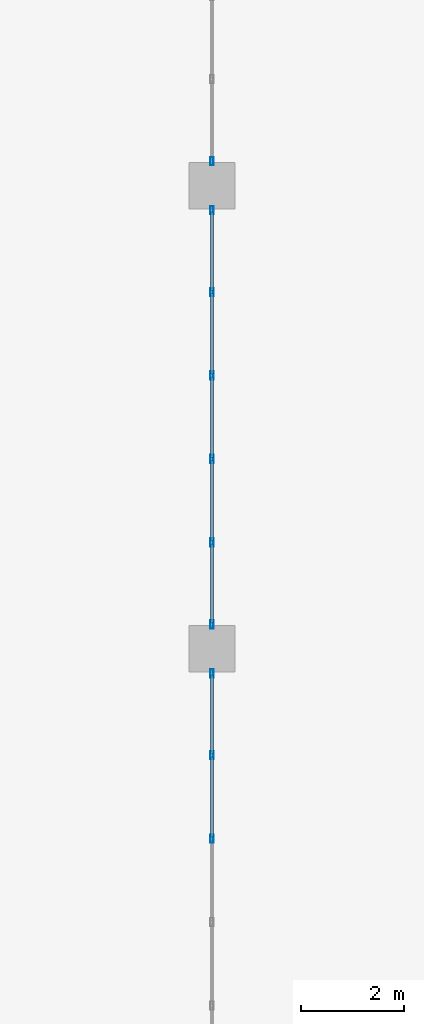
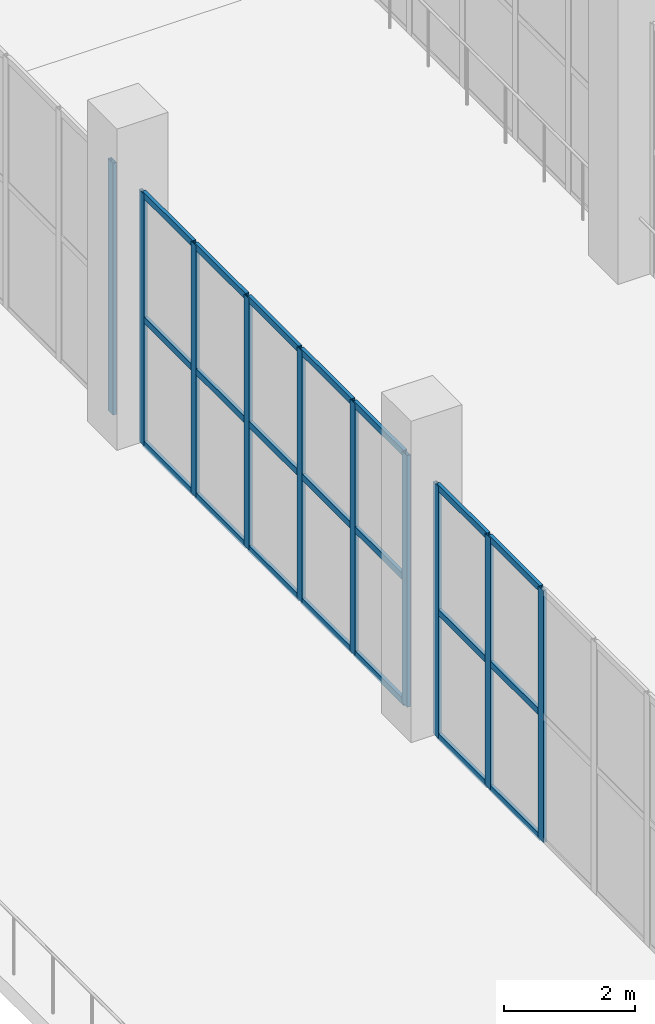
# One storey, part 29 of 223: 31 members, 3 elements without a shape of their own.
"""IFC4 building model written with IfcOpenShell, lengths in metres."""

from ifc_helpers import new_model, si_unit, direction, frame, origin, origin_2d, place, context, subcontext, project, spatial, hollow_rectangle, extrude, material, layer, layer_set, material_profile, profile_set, type_object, element, aggregate, save


model = new_model("IFC4")

# Units and contexts
model_context = context("Model", 3, precision=1e-05, world=origin(), true_north=direction((0.0, 1.0)))
body_context = subcontext(model_context, "Body", "Model", "MODEL_VIEW")
ifc_project = project(units=[si_unit("LENGTHUNIT", "METRE"), si_unit("AREAUNIT", "SQUARE_METRE"), si_unit("VOLUMEUNIT", "CUBIC_METRE"), si_unit("PLANEANGLEUNIT", "RADIAN"), si_unit("MASSUNIT", "GRAM", prefix="KILO")], contexts=[model_context])

# Site, building, storey
site_placement = place(None, origin())
site = spatial("IfcSite", under=ifc_project, at=site_placement, CompositionType="ELEMENT")
building_placement = place(site_placement, origin())
building = spatial("IfcBuilding", under=site, at=building_placement, Name="Dornveld Trade and Exhibition Forum", CompositionType="ELEMENT")
storey_placement = place(building_placement, frame((0.0, 0.0, 6.0)))
storey = spatial("IfcBuildingStorey", under=building, at=storey_placement, Name="L01", CompositionType="ELEMENT", Elevation=6.0)

# Curtain wall, members
ifc_material_1 = material(Name="Dark-bronze anodised aluminium and low-E glass", Category="aluminium")
ifc_layer_1 = layer(ifc_material_1, 0.14794921875)
ifc_layer_set_1 = layer_set([ifc_layer_1], Name="Dark-bronze anodised aluminium and low-E glass")
curtain_wall_type_1 = type_object("IfcCurtainWallType", Name="CW-SYS-02", PredefinedType="USERDEFINED", material=ifc_layer_set_1)
curtain_wall_1_placement = place(storey_placement, origin())
curtain_wall_1 = element("IfcCurtainWall", 1, at=curtain_wall_1_placement, inside=storey, type_object=curtain_wall_type_1, Name="L01 unitised curtain wall 146", ObjectType="UNITISED_CURTAIN_WALL", PredefinedType="USERDEFINED")
ifc_material_2 = material(Name="Dark-bronze anodised aluminium", Category="aluminium")
ifc_material_profile_1 = material_profile(ifc_material_2, hollow_rectangle(XDim=0.06005859375, YDim=0.159912109375, WallThickness=0.00390625, at=origin_2d()), Name="RHS 160x60x4")
ifc_profile_set_1 = profile_set([ifc_material_profile_1], Name="Dark-bronze anodised aluminium")
member_type_1 = type_object("IfcMemberType", Name="CW-MUL-160", PredefinedType="MULLION", material=ifc_profile_set_1)
member_1_placement = place(storey_placement, frame((90.0, 116.52392578125, -0.00390625), z_axis=(0.0, 0.0, 1.0), x_axis=(1.0, 0.0, 0.0)))
member_1 = element("IfcMember", 2, at=member_1_placement, type_object=member_type_1, Name="CW-02 mullion 1", PredefinedType="MULLION", context=body_context, shape_type="SweptSolid", body=[
    extrude(hollow_rectangle(XDim=0.06005859375, YDim=0.159912109375, WallThickness=0.00390625, at=origin_2d()), origin(), (0.0, 0.0, 1.0), 4.703857421875),
])
member_2_placement = place(storey_placement, frame((90.0, 114.932373046875, -0.00390625), z_axis=(0.0, 0.0, 1.0), x_axis=(1.0, 0.0, 0.0)))
member_2 = element("IfcMember", 3, at=member_2_placement, type_object=member_type_1, Name="CW-02 mullion 2", PredefinedType="MULLION", context=body_context, shape_type="SweptSolid", body=[
    extrude(hollow_rectangle(XDim=0.06005859375, YDim=0.159912109375, WallThickness=0.00390625, at=origin_2d()), origin(), (0.0, 0.0, 1.0), 4.703857421875),
])
member_3_placement = place(storey_placement, frame((90.0, 113.310791015625, -0.00390625), z_axis=(0.0, 0.0, 1.0), x_axis=(1.0, 0.0, 0.0)))
member_3 = element("IfcMember", 4, at=member_3_placement, type_object=member_type_1, Name="CW-02 mullion 3", PredefinedType="MULLION", context=body_context, shape_type="SweptSolid", body=[
    extrude(hollow_rectangle(XDim=0.06005859375, YDim=0.159912109375, WallThickness=0.00390625, at=origin_2d()), origin(), (0.0, 0.0, 1.0), 4.703857421875),
])

ifc_material_3 = material(Name="Dark-bronze anodised aluminium and low-E glass", Category="aluminium")
ifc_layer_2 = layer(ifc_material_3, 0.15087890625)
ifc_layer_set_2 = layer_set([ifc_layer_2], Name="Dark-bronze anodised aluminium and low-E glass")
curtain_wall_type_2 = type_object("IfcCurtainWallType", Name="CW-SYS-03", PredefinedType="USERDEFINED", material=ifc_layer_set_2)
curtain_wall_2_placement = place(storey_placement, origin())
curtain_wall_2 = element("IfcCurtainWall", 5, at=curtain_wall_2_placement, inside=storey, type_object=curtain_wall_type_2, Name="L01 unitised curtain wall 147", ObjectType="UNITISED_CURTAIN_WALL", PredefinedType="USERDEFINED")
member_4_placement = place(storey_placement, frame((90.0, 125.52392578125, -0.00390625), z_axis=(0.0, 0.0, 1.0), x_axis=(1.0, 0.0, 0.0)))
member_4 = element("IfcMember", 6, at=member_4_placement, type_object=member_type_1, Name="CW-03 mullion 1", PredefinedType="MULLION", context=body_context, shape_type="SweptSolid", body=[
    extrude(hollow_rectangle(XDim=0.06005859375, YDim=0.159912109375, WallThickness=0.00390625, at=origin_2d()), origin(), (0.0, 0.0, 1.0), 4.703857421875),
])
member_5_placement = place(storey_placement, frame((90.0, 123.932373046875, -0.00390625), z_axis=(0.0, 0.0, 1.0), x_axis=(1.0, 0.0, 0.0)))
member_5 = element("IfcMember", 7, at=member_5_placement, type_object=member_type_1, Name="CW-03 mullion 2", PredefinedType="MULLION", context=body_context, shape_type="SweptSolid", body=[
    extrude(hollow_rectangle(XDim=0.06005859375, YDim=0.159912109375, WallThickness=0.00390625, at=origin_2d()), origin(), (0.0, 0.0, 1.0), 4.703857421875),
])
member_6_placement = place(storey_placement, frame((90.0, 122.310791015625, -0.00390625), z_axis=(0.0, 0.0, 1.0), x_axis=(1.0, 0.0, 0.0)))
member_6 = element("IfcMember", 8, at=member_6_placement, type_object=member_type_1, Name="CW-03 mullion 3", PredefinedType="MULLION", context=body_context, shape_type="SweptSolid", body=[
    extrude(hollow_rectangle(XDim=0.06005859375, YDim=0.159912109375, WallThickness=0.00390625, at=origin_2d()), origin(), (0.0, 0.0, 1.0), 4.703857421875),
])
member_7_placement = place(storey_placement, frame((90.0, 120.689208984375, -0.00390625), z_axis=(0.0, 0.0, 1.0), x_axis=(1.0, 0.0, 0.0)))
member_7 = element("IfcMember", 9, at=member_7_placement, type_object=member_type_1, Name="CW-03 mullion 4", PredefinedType="MULLION", context=body_context, shape_type="SweptSolid", body=[
    extrude(hollow_rectangle(XDim=0.06005859375, YDim=0.159912109375, WallThickness=0.00390625, at=origin_2d()), origin(), (0.0, 0.0, 1.0), 4.703857421875),
])
member_8_placement = place(storey_placement, frame((90.0, 119.067626953125, -0.00390625), z_axis=(0.0, 0.0, 1.0), x_axis=(1.0, 0.0, 0.0)))
member_8 = element("IfcMember", 10, at=member_8_placement, type_object=member_type_1, Name="CW-03 mullion 5", PredefinedType="MULLION", context=body_context, shape_type="SweptSolid", body=[
    extrude(hollow_rectangle(XDim=0.06005859375, YDim=0.159912109375, WallThickness=0.00390625, at=origin_2d()), origin(), (0.0, 0.0, 1.0), 4.703857421875),
])
member_9_placement = place(storey_placement, frame((90.0, 117.47607421875, -0.00390625), z_axis=(0.0, 0.0, 1.0), x_axis=(1.0, 0.0, 0.0)))
member_9 = element("IfcMember", 11, at=member_9_placement, type_object=member_type_1, Name="CW-03 mullion 6", PredefinedType="MULLION", context=body_context, shape_type="SweptSolid", body=[
    extrude(hollow_rectangle(XDim=0.06005859375, YDim=0.159912109375, WallThickness=0.00390625, at=origin_2d()), origin(), (0.0, 0.0, 1.0), 4.703857421875),
])

# Curtain wall, member
ifc_material_4 = material(Name="Dark-bronze anodised aluminium and low-E glass", Category="aluminium")
ifc_layer_3 = layer(ifc_material_4, 0.154052734375)
ifc_layer_set_3 = layer_set([ifc_layer_3], Name="Dark-bronze anodised aluminium and low-E glass")
curtain_wall_type_3 = type_object("IfcCurtainWallType", Name="CW-SYS-04", PredefinedType="USERDEFINED", material=ifc_layer_set_3)
curtain_wall_3_placement = place(storey_placement, origin())
curtain_wall_3 = element("IfcCurtainWall", 12, at=curtain_wall_3_placement, inside=storey, type_object=curtain_wall_type_3, Name="L01 unitised curtain wall 148", ObjectType="UNITISED_CURTAIN_WALL", PredefinedType="USERDEFINED")
member_10_placement = place(storey_placement, frame((90.0, 126.47607421875, -0.00390625), z_axis=(0.0, 0.0, 1.0), x_axis=(1.0, 0.0, 0.0)))
member_10 = element("IfcMember", 13, at=member_10_placement, type_object=member_type_1, Name="CW-04 mullion 6", PredefinedType="MULLION", context=body_context, shape_type="SweptSolid", body=[
    extrude(hollow_rectangle(XDim=0.06005859375, YDim=0.159912109375, WallThickness=0.00390625, at=origin_2d()), origin(), (0.0, 0.0, 1.0), 4.703857421875),
])
aggregate(curtain_wall_3, [member_10])

# Member
ifc_material_5 = material(Name="Dark-bronze anodised aluminium", Category="aluminium")
ifc_material_profile_2 = material_profile(ifc_material_5, hollow_rectangle(XDim=0.06005859375, YDim=0.1201171875, WallThickness=0.00390625, at=origin_2d()), Name="RHS 120x60x4")
ifc_profile_set_2 = profile_set([ifc_material_profile_2], Name="Dark-bronze anodised aluminium")
member_type_2 = type_object("IfcMemberType", Name="CW-TRN-120", PredefinedType="USERDEFINED", material=ifc_profile_set_2)
member_11_placement = place(storey_placement, frame((90.0, 116.493896484375, 0.02587890625), z_axis=(0.0, -1.0, 0.0), x_axis=(1.0, 0.0, 0.0)))
member_11 = element("IfcMember", 14, at=member_11_placement, type_object=member_type_2, Name="CW-02 transom 1.1", ObjectType="TRANSOM", PredefinedType="USERDEFINED", context=body_context, shape_type="SweptSolid", body=[
    extrude(hollow_rectangle(XDim=0.06005859375, YDim=0.1201171875, WallThickness=0.00390625, at=origin_2d()), origin(), (0.0, 0.0, 1.0), 1.531494140625),
])

member_12_placement = place(storey_placement, frame((90.0, 116.493896484375, 2.347900390625), z_axis=(0.0, -1.0, 0.0), x_axis=(1.0, 0.0, 0.0)))
member_12 = element("IfcMember", 15, at=member_12_placement, type_object=member_type_2, Name="CW-02 transom 1.2", ObjectType="TRANSOM", PredefinedType="USERDEFINED", context=body_context, shape_type="SweptSolid", body=[
    extrude(hollow_rectangle(XDim=0.06005859375, YDim=0.1201171875, WallThickness=0.00390625, at=origin_2d()), origin(), (0.0, 0.0, 1.0), 1.531494140625),
])

member_13_placement = place(storey_placement, frame((90.0, 116.493896484375, 4.669921875), z_axis=(0.0, -1.0, 0.0), x_axis=(1.0, 0.0, 0.0)))
member_13 = element("IfcMember", 16, at=member_13_placement, type_object=member_type_2, Name="CW-02 transom 1.3", ObjectType="TRANSOM", PredefinedType="USERDEFINED", context=body_context, shape_type="SweptSolid", body=[
    extrude(hollow_rectangle(XDim=0.06005859375, YDim=0.1201171875, WallThickness=0.00390625, at=origin_2d()), origin(), (0.0, 0.0, 1.0), 1.531494140625),
])

member_14_placement = place(storey_placement, frame((90.0, 114.90234375, 0.02587890625), z_axis=(0.0, -1.0, 0.0), x_axis=(1.0, 0.0, 0.0)))
member_14 = element("IfcMember", 17, at=member_14_placement, type_object=member_type_2, Name="CW-02 transom 2.1", ObjectType="TRANSOM", PredefinedType="USERDEFINED", context=body_context, shape_type="SweptSolid", body=[
    extrude(hollow_rectangle(XDim=0.06005859375, YDim=0.1201171875, WallThickness=0.00390625, at=origin_2d()), origin(), (0.0, 0.0, 1.0), 1.5615234375),
])

member_15_placement = place(storey_placement, frame((90.0, 114.90234375, 2.347900390625), z_axis=(0.0, -1.0, 0.0), x_axis=(1.0, 0.0, 0.0)))
member_15 = element("IfcMember", 18, at=member_15_placement, type_object=member_type_2, Name="CW-02 transom 2.2", ObjectType="TRANSOM", PredefinedType="USERDEFINED", context=body_context, shape_type="SweptSolid", body=[
    extrude(hollow_rectangle(XDim=0.06005859375, YDim=0.1201171875, WallThickness=0.00390625, at=origin_2d()), origin(), (0.0, 0.0, 1.0), 1.5615234375),
])

member_16_placement = place(storey_placement, frame((90.0, 114.90234375, 4.669921875), z_axis=(0.0, -1.0, 0.0), x_axis=(1.0, 0.0, 0.0)))
member_16 = element("IfcMember", 19, at=member_16_placement, type_object=member_type_2, Name="CW-02 transom 2.3", ObjectType="TRANSOM", PredefinedType="USERDEFINED", context=body_context, shape_type="SweptSolid", body=[
    extrude(hollow_rectangle(XDim=0.06005859375, YDim=0.1201171875, WallThickness=0.00390625, at=origin_2d()), origin(), (0.0, 0.0, 1.0), 1.5615234375),
])

aggregate(curtain_wall_1, [member_1, member_2, member_3, member_11, member_12, member_13, member_14, member_15, member_16])

member_17_placement = place(storey_placement, frame((90.0, 125.493896484375, 0.02587890625), z_axis=(0.0, -1.0, 0.0), x_axis=(1.0, 0.0, 0.0)))
member_17 = element("IfcMember", 20, at=member_17_placement, type_object=member_type_2, Name="CW-03 transom 1.1", ObjectType="TRANSOM", PredefinedType="USERDEFINED", context=body_context, shape_type="SweptSolid", body=[
    extrude(hollow_rectangle(XDim=0.06005859375, YDim=0.1201171875, WallThickness=0.00390625, at=origin_2d()), origin(), (0.0, 0.0, 1.0), 1.531494140625),
])

member_18_placement = place(storey_placement, frame((90.0, 125.493896484375, 2.347900390625), z_axis=(0.0, -1.0, 0.0), x_axis=(1.0, 0.0, 0.0)))
member_18 = element("IfcMember", 21, at=member_18_placement, type_object=member_type_2, Name="CW-03 transom 1.2", ObjectType="TRANSOM", PredefinedType="USERDEFINED", context=body_context, shape_type="SweptSolid", body=[
    extrude(hollow_rectangle(XDim=0.06005859375, YDim=0.1201171875, WallThickness=0.00390625, at=origin_2d()), origin(), (0.0, 0.0, 1.0), 1.531494140625),
])

member_19_placement = place(storey_placement, frame((90.0, 125.493896484375, 4.669921875), z_axis=(0.0, -1.0, 0.0), x_axis=(1.0, 0.0, 0.0)))
member_19 = element("IfcMember", 22, at=member_19_placement, type_object=member_type_2, Name="CW-03 transom 1.3", ObjectType="TRANSOM", PredefinedType="USERDEFINED", context=body_context, shape_type="SweptSolid", body=[
    extrude(hollow_rectangle(XDim=0.06005859375, YDim=0.1201171875, WallThickness=0.00390625, at=origin_2d()), origin(), (0.0, 0.0, 1.0), 1.531494140625),
])

member_20_placement = place(storey_placement, frame((90.0, 123.90234375, 0.02587890625), z_axis=(0.0, -1.0, 0.0), x_axis=(1.0, 0.0, 0.0)))
member_20 = element("IfcMember", 23, at=member_20_placement, type_object=member_type_2, Name="CW-03 transom 2.1", ObjectType="TRANSOM", PredefinedType="USERDEFINED", context=body_context, shape_type="SweptSolid", body=[
    extrude(hollow_rectangle(XDim=0.06005859375, YDim=0.1201171875, WallThickness=0.00390625, at=origin_2d()), origin(), (0.0, 0.0, 1.0), 1.5615234375),
])

member_21_placement = place(storey_placement, frame((90.0, 123.90234375, 2.347900390625), z_axis=(0.0, -1.0, 0.0), x_axis=(1.0, 0.0, 0.0)))
member_21 = element("IfcMember", 24, at=member_21_placement, type_object=member_type_2, Name="CW-03 transom 2.2", ObjectType="TRANSOM", PredefinedType="USERDEFINED", context=body_context, shape_type="SweptSolid", body=[
    extrude(hollow_rectangle(XDim=0.06005859375, YDim=0.1201171875, WallThickness=0.00390625, at=origin_2d()), origin(), (0.0, 0.0, 1.0), 1.5615234375),
])

member_22_placement = place(storey_placement, frame((90.0, 123.90234375, 4.669921875), z_axis=(0.0, -1.0, 0.0), x_axis=(1.0, 0.0, 0.0)))
member_22 = element("IfcMember", 25, at=member_22_placement, type_object=member_type_2, Name="CW-03 transom 2.3", ObjectType="TRANSOM", PredefinedType="USERDEFINED", context=body_context, shape_type="SweptSolid", body=[
    extrude(hollow_rectangle(XDim=0.06005859375, YDim=0.1201171875, WallThickness=0.00390625, at=origin_2d()), origin(), (0.0, 0.0, 1.0), 1.5615234375),
])

member_23_placement = place(storey_placement, frame((90.0, 122.28076171875, 0.02587890625), z_axis=(0.0, -1.0, 0.0), x_axis=(1.0, 0.0, 0.0)))
member_23 = element("IfcMember", 26, at=member_23_placement, type_object=member_type_2, Name="CW-03 transom 3.1", ObjectType="TRANSOM", PredefinedType="USERDEFINED", context=body_context, shape_type="SweptSolid", body=[
    extrude(hollow_rectangle(XDim=0.06005859375, YDim=0.1201171875, WallThickness=0.00390625, at=origin_2d()), origin(), (0.0, 0.0, 1.0), 1.5615234375),
])

member_24_placement = place(storey_placement, frame((90.0, 122.28076171875, 2.347900390625), z_axis=(0.0, -1.0, 0.0), x_axis=(1.0, 0.0, 0.0)))
member_24 = element("IfcMember", 27, at=member_24_placement, type_object=member_type_2, Name="CW-03 transom 3.2", ObjectType="TRANSOM", PredefinedType="USERDEFINED", context=body_context, shape_type="SweptSolid", body=[
    extrude(hollow_rectangle(XDim=0.06005859375, YDim=0.1201171875, WallThickness=0.00390625, at=origin_2d()), origin(), (0.0, 0.0, 1.0), 1.5615234375),
])

member_25_placement = place(storey_placement, frame((90.0, 122.28076171875, 4.669921875), z_axis=(0.0, -1.0, 0.0), x_axis=(1.0, 0.0, 0.0)))
member_25 = element("IfcMember", 28, at=member_25_placement, type_object=member_type_2, Name="CW-03 transom 3.3", ObjectType="TRANSOM", PredefinedType="USERDEFINED", context=body_context, shape_type="SweptSolid", body=[
    extrude(hollow_rectangle(XDim=0.06005859375, YDim=0.1201171875, WallThickness=0.00390625, at=origin_2d()), origin(), (0.0, 0.0, 1.0), 1.5615234375),
])

member_26_placement = place(storey_placement, frame((90.0, 120.6591796875, 0.02587890625), z_axis=(0.0, -1.0, 0.0), x_axis=(1.0, 0.0, 0.0)))
member_26 = element("IfcMember", 29, at=member_26_placement, type_object=member_type_2, Name="CW-03 transom 4.1", ObjectType="TRANSOM", PredefinedType="USERDEFINED", context=body_context, shape_type="SweptSolid", body=[
    extrude(hollow_rectangle(XDim=0.06005859375, YDim=0.1201171875, WallThickness=0.00390625, at=origin_2d()), origin(), (0.0, 0.0, 1.0), 1.5615234375),
])

member_27_placement = place(storey_placement, frame((90.0, 120.6591796875, 2.347900390625), z_axis=(0.0, -1.0, 0.0), x_axis=(1.0, 0.0, 0.0)))
member_27 = element("IfcMember", 30, at=member_27_placement, type_object=member_type_2, Name="CW-03 transom 4.2", ObjectType="TRANSOM", PredefinedType="USERDEFINED", context=body_context, shape_type="SweptSolid", body=[
    extrude(hollow_rectangle(XDim=0.06005859375, YDim=0.1201171875, WallThickness=0.00390625, at=origin_2d()), origin(), (0.0, 0.0, 1.0), 1.5615234375),
])

member_28_placement = place(storey_placement, frame((90.0, 120.6591796875, 4.669921875), z_axis=(0.0, -1.0, 0.0), x_axis=(1.0, 0.0, 0.0)))
member_28 = element("IfcMember", 31, at=member_28_placement, type_object=member_type_2, Name="CW-03 transom 4.3", ObjectType="TRANSOM", PredefinedType="USERDEFINED", context=body_context, shape_type="SweptSolid", body=[
    extrude(hollow_rectangle(XDim=0.06005859375, YDim=0.1201171875, WallThickness=0.00390625, at=origin_2d()), origin(), (0.0, 0.0, 1.0), 1.5615234375),
])

member_29_placement = place(storey_placement, frame((90.0, 119.03759765625, 0.02587890625), z_axis=(0.0, -1.0, 0.0), x_axis=(1.0, 0.0, 0.0)))
member_29 = element("IfcMember", 32, at=member_29_placement, type_object=member_type_2, Name="CW-03 transom 5.1", ObjectType="TRANSOM", PredefinedType="USERDEFINED", context=body_context, shape_type="SweptSolid", body=[
    extrude(hollow_rectangle(XDim=0.06005859375, YDim=0.1201171875, WallThickness=0.00390625, at=origin_2d()), origin(), (0.0, 0.0, 1.0), 1.531494140625),
])

member_30_placement = place(storey_placement, frame((90.0, 119.03759765625, 2.347900390625), z_axis=(0.0, -1.0, 0.0), x_axis=(1.0, 0.0, 0.0)))
member_30 = element("IfcMember", 33, at=member_30_placement, type_object=member_type_2, Name="CW-03 transom 5.2", ObjectType="TRANSOM", PredefinedType="USERDEFINED", context=body_context, shape_type="SweptSolid", body=[
    extrude(hollow_rectangle(XDim=0.06005859375, YDim=0.1201171875, WallThickness=0.00390625, at=origin_2d()), origin(), (0.0, 0.0, 1.0), 1.531494140625),
])

member_31_placement = place(storey_placement, frame((90.0, 119.03759765625, 4.669921875), z_axis=(0.0, -1.0, 0.0), x_axis=(1.0, 0.0, 0.0)))
member_31 = element("IfcMember", 34, at=member_31_placement, type_object=member_type_2, Name="CW-03 transom 5.3", ObjectType="TRANSOM", PredefinedType="USERDEFINED", context=body_context, shape_type="SweptSolid", body=[
    extrude(hollow_rectangle(XDim=0.06005859375, YDim=0.1201171875, WallThickness=0.00390625, at=origin_2d()), origin(), (0.0, 0.0, 1.0), 1.531494140625),
])

aggregate(curtain_wall_2, [member_4, member_5, member_6, member_7, member_8, member_9, member_17, member_18, member_19, member_20, member_21, member_22, member_23, member_24, member_25, member_26, member_27, member_28, member_29, member_30, member_31])

save(model, "model.ifc")
